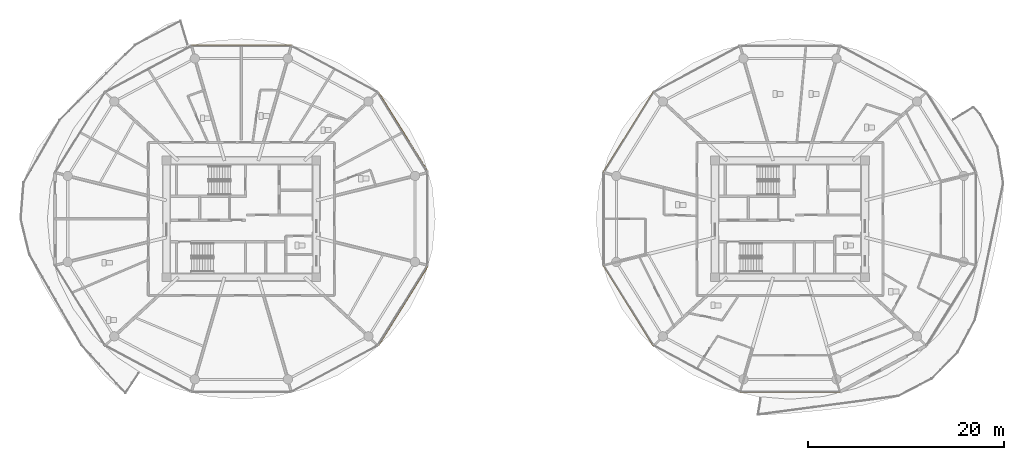
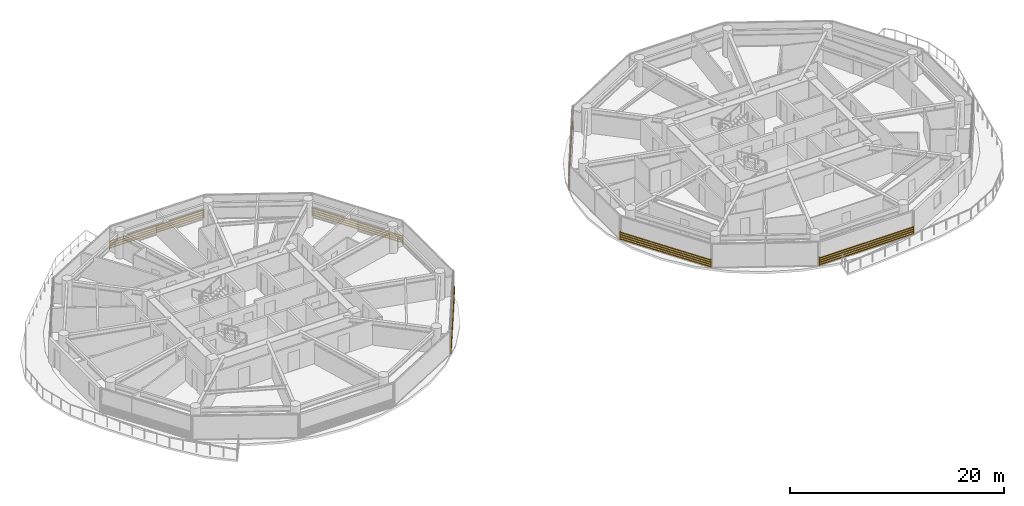
# One storey, part 24 of 27: 6 shading devices.
"""IFC4 building model written with IfcOpenShell, lengths in metres."""

from ifc_helpers import new_model, si_unit, direction, frame, origin, origin_2d, place, context, subcontext, project, spatial, rectangle, extrude, source, transform, mapped, material, type_object, type_shapes, element, save


model = new_model("IFC4")

# Units and contexts
model_context = context("Model", 3, precision=1e-05, world=origin(), true_north=direction((0.0, 1.0)))
body_context = subcontext(model_context, "Body", "Model", "MODEL_VIEW")
ifc_project = project(units=[si_unit("LENGTHUNIT", "METRE"), si_unit("AREAUNIT", "SQUARE_METRE"), si_unit("VOLUMEUNIT", "CUBIC_METRE"), si_unit("PLANEANGLEUNIT", "RADIAN"), si_unit("MASSUNIT", "GRAM", prefix="KILO")], contexts=[model_context])

# Site, building, storey
site_placement = place(None, origin())
site = spatial("IfcSite", under=ifc_project, at=site_placement, CompositionType="ELEMENT")
building_placement = place(site_placement, origin())
building = spatial("IfcBuilding", under=site, at=building_placement, Name="Norrkilde Senior Care Towers", CompositionType="ELEMENT")
storey_placement = place(building_placement, frame((0.0, 0.0, 36.85009765625)))
storey = spatial("IfcBuildingStorey", under=building, at=storey_placement, Name="L10", CompositionType="ELEMENT", Elevation=36.85009765625)

# Shading devices
ifc_material = material(Name="Architectural Terracotta", Category="masonry")
shading_device_type = type_object("IfcShadingDeviceType", Name="Horizontal Terracotta Baguette Rack", PredefinedType="USERDEFINED", material=ifc_material)
shared_shape_1 = source(origin(), body_context, "Body", "SweptSolid", [
    extrude(rectangle(XDim=0.070068359375, YDim=0.110107421875, at=origin_2d()), frame((0.0, 0.090087890625, 0.125), z_axis=(1.0, 0.0, 0.0), x_axis=(0.0, 1.0, 0.0)), (0.0, 0.0, 1.0), 9.64892578125),
    extrude(rectangle(XDim=0.070068359375, YDim=0.110107421875, at=origin_2d()), frame((0.0, 0.090087890625, 0.375), z_axis=(1.0, 0.0, 0.0), x_axis=(0.0, 1.0, 0.0)), (0.0, 0.0, 1.0), 9.64892578125),
    extrude(rectangle(XDim=0.070068359375, YDim=0.110107421875, at=origin_2d()), frame((0.0, 0.090087890625, 0.625), z_axis=(1.0, 0.0, 0.0), x_axis=(0.0, 1.0, 0.0)), (0.0, 0.0, 1.0), 9.64892578125),
    extrude(rectangle(XDim=0.070068359375, YDim=0.110107421875, at=origin_2d()), frame((0.0, 0.090087890625, 0.875), z_axis=(1.0, 0.0, 0.0), x_axis=(0.0, 1.0, 0.0)), (0.0, 0.0, 1.0), 9.64892578125),
    extrude(rectangle(XDim=0.050048828125, YDim=0.1552734375, at=origin_2d()), frame((0.02490234375, 0.047607421875, 0.0)), (0.0, 0.0, 1.0), 1.0),
    extrude(rectangle(XDim=0.050048828125, YDim=0.1552734375, at=origin_2d()), frame((9.6240234375, 0.047607421875, 0.0)), (0.0, 0.0, 1.0), 1.0),
])
for number, where, z_axis, x_axis, name in (
    (1, (-14.084228515625, 12.926025390625, 0.079833984375), (0.0, 0.0, 1.0), (0.527908506655, -0.849299124538, 0.0), "L10 Drum W Terracotta Baguette Screen 00"),
    (2, (-8.990478515625, -4.731201171875, 0.079833984375), (0.0, 0.0, 1.0), (-0.527908506655, -0.849299124538, 0.0), "L10 Drum W Terracotta Baguette Screen 10"),
    (3, (8.990478515625, 4.731201171875, 0.079833984375), (0.0, 0.0, 1.0), (0.527908506655, 0.849299124538, 0.0), "L10 Drum E Terracotta Baguette Screen 04"),
    (4, (14.084228515625, -12.926025390625, 0.079833984375), (0.0, 0.0, 1.0), (-0.527908506655, 0.849299124538, 0.0), "L10 Drum E Terracotta Baguette Screen 06"),
):
    element("IfcShadingDevice", number, at=place(storey_placement, frame(where, z_axis=z_axis, x_axis=x_axis)), inside=storey, type_object=shading_device_type, Name=name, ObjectType="BAGUETTE", PredefinedType="USERDEFINED", context=body_context, shape_type="MappedRepresentation", body=[
        mapped(shared_shape_1, transform((0.0, 0.0, 0.0), x_axis=(1.0, 0.0, 0.0), y_axis=(0.0, 1.0, 0.0), z_axis=(0.0, 0.0, 1.0), scale=1.0)),
    ])
shared_shape_2 = source(origin(), body_context, "Body", "SweptSolid", [
    extrude(rectangle(XDim=0.070068359375, YDim=0.110107421875, at=origin_2d()), frame((0.0, 0.090087890625, 0.125), z_axis=(1.0, 0.0, 0.0), x_axis=(0.0, 1.0, 0.0)), (0.0, 0.0, 1.0), 10.18701171875),
    extrude(rectangle(XDim=0.070068359375, YDim=0.110107421875, at=origin_2d()), frame((0.0, 0.090087890625, 0.375), z_axis=(1.0, 0.0, 0.0), x_axis=(0.0, 1.0, 0.0)), (0.0, 0.0, 1.0), 10.18701171875),
    extrude(rectangle(XDim=0.070068359375, YDim=0.110107421875, at=origin_2d()), frame((0.0, 0.090087890625, 0.625), z_axis=(1.0, 0.0, 0.0), x_axis=(0.0, 1.0, 0.0)), (0.0, 0.0, 1.0), 10.18701171875),
    extrude(rectangle(XDim=0.070068359375, YDim=0.110107421875, at=origin_2d()), frame((0.0, 0.090087890625, 0.875), z_axis=(1.0, 0.0, 0.0), x_axis=(0.0, 1.0, 0.0)), (0.0, 0.0, 1.0), 10.18701171875),
    extrude(rectangle(XDim=0.050048828125, YDim=0.1552734375, at=origin_2d()), frame((0.02490234375, 0.047607421875, 0.0)), (0.0, 0.0, 1.0), 1.0),
    extrude(rectangle(XDim=0.050048828125, YDim=0.1552734375, at=origin_2d()), frame((10.162109375, 0.047607421875, 0.0)), (0.0, 0.0, 1.0), 1.0),
])
type_shapes(shading_device_type, [shared_shape_1, shared_shape_2])
for number, where, z_axis, x_axis, name in (
    (5, (-33.093505859375, 17.6572265625, 0.079833984375), (0.0, 0.0, 1.0), (1.0, 0.0, 0.0), "L10 Drum W Terracotta Baguette Screen 02"),
    (6, (33.093505859375, -17.6572265625, 0.079833984375), (0.0, 0.0, 1.0), (-1.0, 0.0, 0.0), "L10 Drum E Terracotta Baguette Screen 08"),
):
    element("IfcShadingDevice", number, at=place(storey_placement, frame(where, z_axis=z_axis, x_axis=x_axis)), inside=storey, type_object=shading_device_type, Name=name, ObjectType="BAGUETTE", PredefinedType="USERDEFINED", context=body_context, shape_type="MappedRepresentation", body=[
        mapped(shared_shape_2, transform((0.0, 0.0, 0.0), x_axis=(1.0, 0.0, 0.0), y_axis=(0.0, 1.0, 0.0), z_axis=(0.0, 0.0, 1.0), scale=1.0)),
    ])

save(model, "model.ifc")
